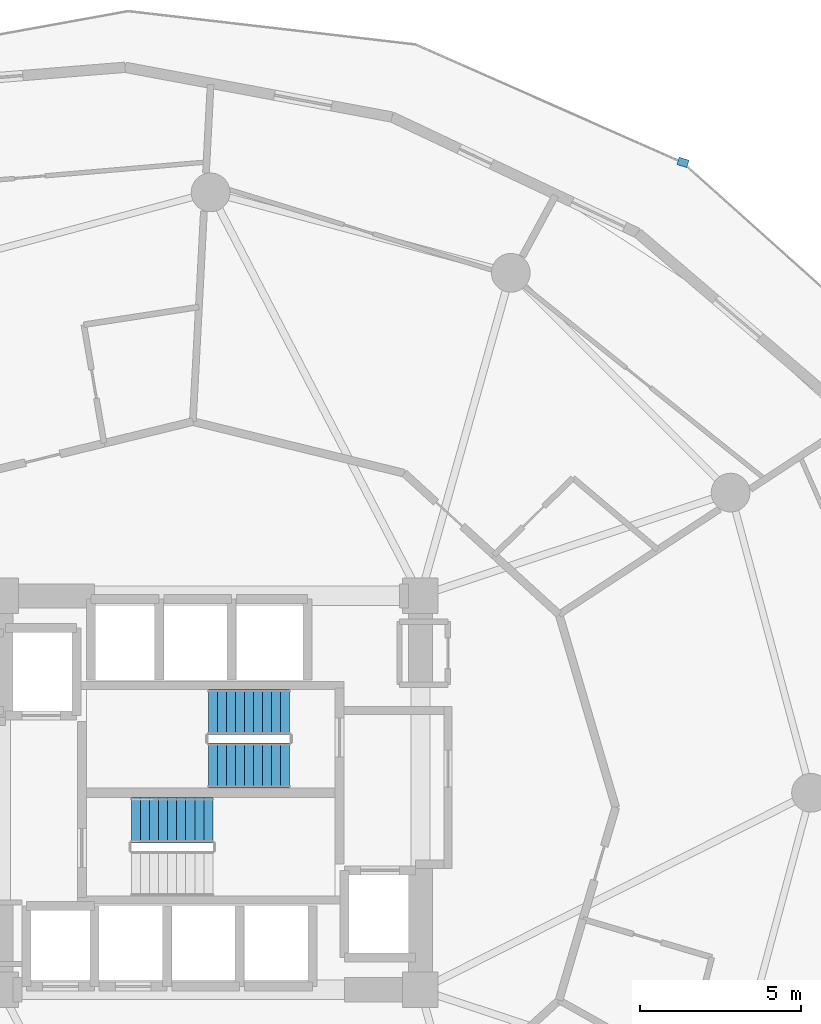
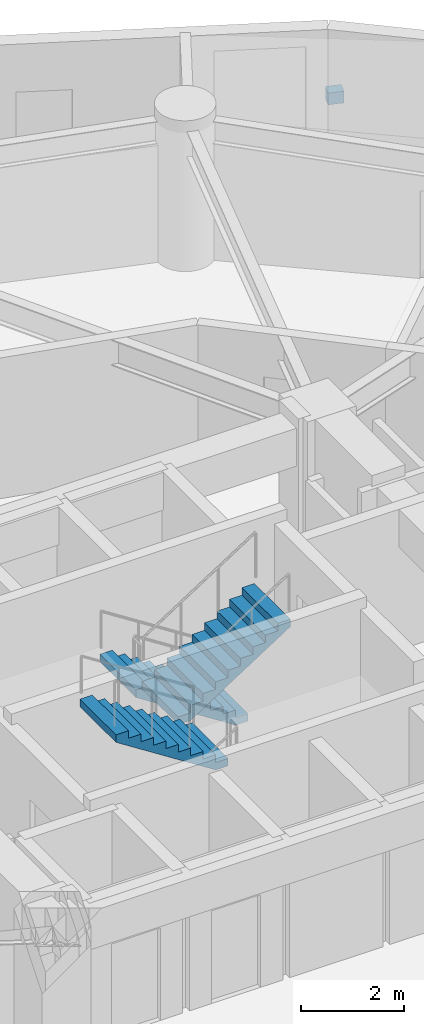
# One storey, part 24 of 26: 3 stair flights, 1 discrete accessory, 2 elements without a shape of their own.
"""IFC4 building model written with IfcOpenShell, lengths in metres."""

from ifc_helpers import new_model, si_unit, direction, frame, origin, origin_2d, place, context, subcontext, project, spatial, polyline, rectangle, outline, extrude, material, type_object, element, aggregate, save


model = new_model("IFC4")

# Units and contexts
model_context = context("Model", 3, precision=1e-05, world=origin(), true_north=direction((0.0, 1.0)))
body_context = subcontext(model_context, "Body", "Model", "MODEL_VIEW")
ifc_project = project(units=[si_unit("LENGTHUNIT", "METRE"), si_unit("AREAUNIT", "SQUARE_METRE"), si_unit("VOLUMEUNIT", "CUBIC_METRE"), si_unit("PLANEANGLEUNIT", "RADIAN"), si_unit("MASSUNIT", "GRAM", prefix="KILO")], contexts=[model_context])

# Site, building, storey
site_placement = place(None, origin())
site = spatial("IfcSite", under=ifc_project, at=site_placement, CompositionType="ELEMENT")
building_placement = place(site_placement, origin())
building = spatial("IfcBuilding", under=site, at=building_placement, Name="Solvirekh Grand Hotel", CompositionType="ELEMENT")
storey_placement = place(building_placement, frame((0.0, 0.0, 68.0)))
storey = spatial("IfcBuildingStorey", under=building, at=storey_placement, Name="L16", CompositionType="ELEMENT", Elevation=68.0)

# Stair, stair flight
ifc_material_1 = material(Name="Concrete C40/50", Category="concrete")
stair_type = type_object("IfcStairType", Name="Stair_Core_1450", PredefinedType="HALF_TURN_STAIR", material=ifc_material_1)
stair_1_placement = place(storey_placement, origin())
stair_1 = element("IfcStair", 1, at=stair_1_placement, inside=storey, type_object=stair_type, Name="L16 Enclosed exit stair ST-1", PredefinedType="HALF_TURN_STAIR")
stair_flight_type = type_object("IfcStairFlightType", Name="Flight_Core_1450", PredefinedType="STRAIGHT", material=ifc_material_1)
stair_flight_1_placement = place(storey_placement, frame((0.070068359375, -0.85009765625, 1.800048828125), z_axis=(0.0, 0.0, 1.0), x_axis=(-1.0, 0.0, 0.0)))
stair_flight_1 = element("IfcStairFlight", 2, at=stair_flight_1_placement, type_object=stair_flight_type, Name="ST-1 flight 2", NumberOfRisers=10, NumberOfTreads=9, PredefinedType="STRAIGHT", RiserHeight=0.18, TreadLength=0.28, context=body_context, shape_type="SweptSolid", body=[
    extrude(outline(polyline([(0.0, 0.0), (0.0, 0.179931640625), (0.280029296875, 0.179931640625), (0.280029296875, 0.360107421875), (0.56005859375, 0.360107421875), (0.56005859375, 0.5400390625), (0.840087890625, 0.5400390625), (0.840087890625, 0.719970703125), (1.1201171875, 0.719970703125), (1.1201171875, 0.89990234375), (1.39990234375, 0.89990234375), (1.39990234375, 1.080078125), (1.679931640625, 1.080078125), (1.679931640625, 1.260009765625), (1.9599609375, 1.260009765625), (1.9599609375, 1.43994140625), (2.239990234375, 1.43994140625), (2.239990234375, 1.6201171875), (2.52001953125, 1.6201171875), (2.52001953125, 1.800048828125), (2.52001953125, 1.44189453125), (0.277099609375, 0.0), (0.0, 0.0)])), frame((0.0, 0.699951171875, 0.0), z_axis=(0.0, -1.0, 0.0), x_axis=(1.0, 0.0, 0.0)), (0.0, 0.0, 1.0), 1.39990234375),
])
aggregate(stair_1, [stair_flight_1])

# Stair, stair flights
stair_2_placement = place(storey_placement, origin())
stair_2 = element("IfcStair", 3, at=stair_2_placement, inside=storey, type_object=stair_type, Name="L16 Enclosed exit stair ST-2", PredefinedType="HALF_TURN_STAIR")
stair_flight_2_placement = place(storey_placement, frame((2.449951171875, 2.5, 0.0), z_axis=(0.0, 0.0, 1.0), x_axis=(-1.0, 0.0, 0.0)))
stair_flight_2 = element("IfcStairFlight", 4, at=stair_flight_2_placement, type_object=stair_flight_type, Name="ST-2 flight 1", NumberOfRisers=10, NumberOfTreads=9, PredefinedType="STRAIGHT", RiserHeight=0.18, TreadLength=0.28, context=body_context, shape_type="SweptSolid", body=[
    extrude(outline(polyline([(0.0, 0.0), (0.0, 0.179931640625), (0.280029296875, 0.179931640625), (0.280029296875, 0.360107421875), (0.56005859375, 0.360107421875), (0.56005859375, 0.5400390625), (0.840087890625, 0.5400390625), (0.840087890625, 0.719970703125), (1.1201171875, 0.719970703125), (1.1201171875, 0.89990234375), (1.39990234375, 0.89990234375), (1.39990234375, 1.080078125), (1.679931640625, 1.080078125), (1.679931640625, 1.260009765625), (1.9599609375, 1.260009765625), (1.9599609375, 1.43994140625), (2.239990234375, 1.43994140625), (2.239990234375, 1.6201171875), (2.52001953125, 1.6201171875), (2.52001953125, 1.800048828125), (2.52001953125, 1.44189453125), (0.277099609375, 0.0), (0.0, 0.0)])), frame((0.0, 0.699951171875, 0.0), z_axis=(0.0, -1.0, 0.0), x_axis=(1.0, 0.0, 0.0)), (0.0, 0.0, 1.0), 1.39990234375),
])
stair_flight_3_placement = place(storey_placement, frame((-0.070068359375, 0.85009765625, 1.800048828125), z_axis=(0.0, 0.0, 1.0), x_axis=(1.0, 0.0, 0.0)))
stair_flight_3 = element("IfcStairFlight", 5, at=stair_flight_3_placement, type_object=stair_flight_type, Name="ST-2 flight 2", NumberOfRisers=10, NumberOfTreads=9, PredefinedType="STRAIGHT", RiserHeight=0.18, TreadLength=0.28, context=body_context, shape_type="SweptSolid", body=[
    extrude(outline(polyline([(0.0, 0.0), (0.0, 0.179931640625), (0.280029296875, 0.179931640625), (0.280029296875, 0.360107421875), (0.56005859375, 0.360107421875), (0.56005859375, 0.5400390625), (0.840087890625, 0.5400390625), (0.840087890625, 0.719970703125), (1.1201171875, 0.719970703125), (1.1201171875, 0.89990234375), (1.39990234375, 0.89990234375), (1.39990234375, 1.080078125), (1.679931640625, 1.080078125), (1.679931640625, 1.260009765625), (1.9599609375, 1.260009765625), (1.9599609375, 1.43994140625), (2.239990234375, 1.43994140625), (2.239990234375, 1.6201171875), (2.52001953125, 1.6201171875), (2.52001953125, 1.800048828125), (2.52001953125, 1.44189453125), (0.277099609375, 0.0), (0.0, 0.0)])), frame((0.0, 0.699951171875, 0.0), z_axis=(0.0, -1.0, 0.0), x_axis=(1.0, 0.0, 0.0)), (0.0, 0.0, 1.0), 1.39990234375),
])
aggregate(stair_2, [stair_flight_2, stair_flight_3])

# Discrete accessory
ifc_material_2 = material(Name="Steel S355", Category="steel")
discrete_accessory_type = type_object("IfcDiscreteAccessoryType", Name="Acc_ThermalBracket", PredefinedType="BRACKET", material=ifc_material_2)
discrete_accessory_placement = place(storey_placement, frame((14.633056640625, 19.528076171875, -0.27978515625), z_axis=(0.0, 0.0, 1.0), x_axis=(0.951594403879, -0.3073566178, 0.0)))
element("IfcDiscreteAccessory", 6, at=discrete_accessory_placement, inside=storey, type_object=discrete_accessory_type, Name="L16 balcony thermal-break bracket", PredefinedType="BRACKET", context=body_context, shape_type="SweptSolid", body=[
    extrude(rectangle(XDim=0.320068359375, YDim=0.239990234375, at=origin_2d()), origin(), (0.0, 0.0, 1.0), 0.280029296875),
])

save(model, "model.ifc")
